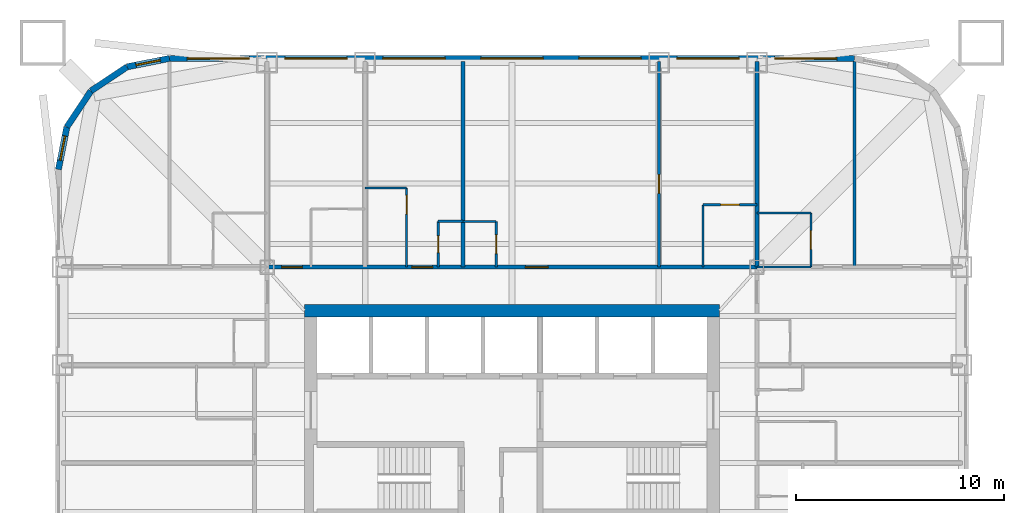
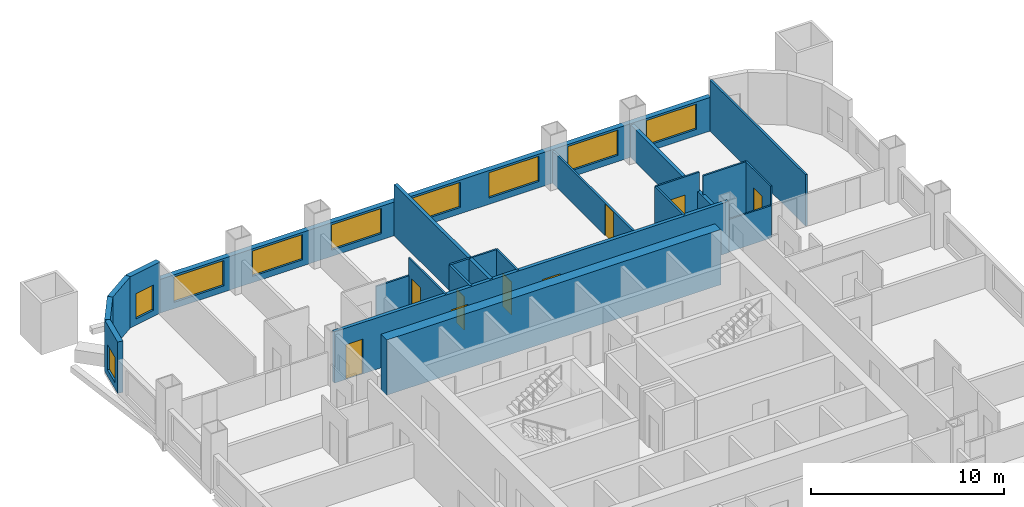
# One storey, part 7 of 9: 22 walls, 9 doors, 9 windows, 18 openings.
"""IFC4 building model written with IfcOpenShell, lengths in metres."""

from ifc_helpers import new_model, si_unit, direction, frame, frame_2d, origin, place, context, subcontext, project, spatial, rectangle, extrude, material, layer, layer_set, type_object, element, fill, save


model = new_model("IFC4")

# Units and contexts
model_context = context("Model", 3, precision=1e-05, world=origin(), true_north=direction((0.0, 1.0)))
body_context = subcontext(model_context, "Body", "Model", "MODEL_VIEW")
ifc_project = project(units=[si_unit("LENGTHUNIT", "METRE"), si_unit("AREAUNIT", "SQUARE_METRE"), si_unit("VOLUMEUNIT", "CUBIC_METRE"), si_unit("PLANEANGLEUNIT", "RADIAN"), si_unit("MASSUNIT", "GRAM", prefix="KILO")], contexts=[model_context])

# Site, building, storey
site_placement = place(None, origin())
site = spatial("IfcSite", under=ifc_project, at=site_placement, CompositionType="ELEMENT")
building_placement = place(site_placement, origin())
building = spatial("IfcBuilding", under=site, at=building_placement, Name="Turquesa Mirador Hotel Tower", CompositionType="ELEMENT")
storey_placement = place(building_placement, frame((0.0, 0.0, 84.5)))
storey = spatial("IfcBuildingStorey", under=building, at=storey_placement, Name="L22", CompositionType="ELEMENT", Elevation=84.5)

# Walls
ifc_material_1 = material(Name="Gypsum board on steel studs", Category="steel")
ifc_layer_1 = layer(ifc_material_1, 0.10009765625)
ifc_layer_set_1 = layer_set([ifc_layer_1], Name="BATHROOM WALL 100")
wall_type_1 = type_object("IfcWallType", Name="BATHROOM WALL 100", PredefinedType="PARTITIONING", material=ifc_layer_set_1)
wall_1_placement = place(storey_placement, frame((66.800048828125, 56.800048828125, 0.0), z_axis=(0.0, 0.0, 1.0), x_axis=(1.0, 0.0, 0.0)))
element("IfcWall", 1, at=wall_1_placement, inside=storey, type_object=wall_type_1, Name="Partition L22 019", PredefinedType="PARTITIONING", context=body_context, shape_type="SweptSolid", body=[
    extrude(rectangle(XDim=2.599853515625, YDim=0.10009765625, at=frame_2d((1.2998046875, 0.0))), origin(), (0.0, 0.0, 1.0), 2.050048828125),
])
wall_2_placement = place(storey_placement, frame((52.639892578125, 59.0, 0.0), z_axis=(0.0, 0.0, 1.0), x_axis=(1.0, 0.0, 0.0)))
element("IfcWall", 2, at=wall_2_placement, inside=storey, type_object=wall_type_1, Name="Partition L22 023", PredefinedType="PARTITIONING", context=body_context, shape_type="SweptSolid", body=[
    extrude(rectangle(XDim=1.60009765625, YDim=0.10009765625, at=frame_2d((0.800048828125, 0.0))), origin(), (0.0, 0.0, 1.0), 3.25),
])
wall_3_placement = place(storey_placement, frame((66.800048828125, 59.39990234375, 0.0), z_axis=(0.0, 0.0, 1.0), x_axis=(1.0, 0.0, 0.0)))
element("IfcWall", 3, at=wall_3_placement, inside=storey, type_object=wall_type_1, Name="Partition L22 026", PredefinedType="PARTITIONING", context=body_context, shape_type="SweptSolid", body=[
    extrude(rectangle(XDim=2.599853515625, YDim=0.10009765625, at=frame_2d((1.2998046875, 0.0))), origin(), (0.0, 0.0, 1.0), 3.25),
])

# Wall, opening, door
wall_4_placement = place(storey_placement, frame((64.199951171875, 59.800048828125, 0.0), z_axis=(0.0, 0.0, 1.0), x_axis=(1.0, 0.0, 0.0)))
wall_4 = element("IfcWall", 4, at=wall_4_placement, inside=storey, type_object=wall_type_1, Name="Partition L22 028", PredefinedType="PARTITIONING", context=body_context, shape_type="SweptSolid", body=[
    extrude(rectangle(XDim=2.60009765625, YDim=0.10009765625, at=frame_2d((1.300048828125, 0.0))), origin(), (0.0, 0.0, 1.0), 3.25),
])
opening_1_placement = place(wall_4_placement, frame((0.85009765625, 0.0, 0.0)))
opening_1 = element("IfcOpeningElement", 5, at=opening_1_placement, cuts=wall_4, Name="Opening D02", PredefinedType="OPENING", context=body_context, shape_type="SweptSolid", body=[
    extrude(rectangle(XDim=0.89990234375, YDim=2.10009765625, at=frame_2d((0.449951171875, 1.050048828125))), frame((0.0, 0.06005859375, 0.0), z_axis=(0.0, -1.0, 0.0), x_axis=(1.0, 0.0, 0.0)), (0.0, 0.0, 1.0), 0.1201171875),
])
ifc_material_2 = material(Name="Timber veneered door", Category="wood")
door_type_1 = type_object("IfcDoorType", Name="DOOR 900X2100 EN-SUITE", OperationType="SINGLE_SWING_RIGHT", PredefinedType="DOOR", material=ifc_material_2)
door_1_placement = place(opening_1_placement, origin())
door_1 = element("IfcDoor", 6, at=door_1_placement, inside=storey, type_object=door_type_1, Name="Door 2203B", OperationType="SINGLE_SWING_RIGHT", OverallHeight=2.10009765625, OverallWidth=0.89990234375, PredefinedType="DOOR", context=body_context, shape_type="SweptSolid", body=[
    extrude(rectangle(XDim=0.89990234375, YDim=2.10009765625, at=frame_2d((0.449951171875, 1.050048828125))), frame((0.0, 0.02490234375, 0.0), z_axis=(0.0, -1.0, 0.0), x_axis=(1.0, 0.0, 0.0)), (0.0, 0.0, 1.0), 0.050048828125),
])
fill(opening_1, door_1)

# Wall
wall_5_placement = place(storey_placement, frame((47.919921875, 60.60009765625, 0.0), z_axis=(0.0, 0.0, 1.0), x_axis=(1.0, 0.0, 0.0)))
element("IfcWall", 7, at=wall_5_placement, inside=storey, type_object=wall_type_1, Name="Partition L22 029", PredefinedType="PARTITIONING", context=body_context, shape_type="SweptSolid", body=[
    extrude(rectangle(XDim=2.0, YDim=0.10009765625, at=frame_2d((1.0, 0.0))), origin(), (0.0, 0.0, 1.0), 2.13232421875),
])

# Wall, opening, door
wall_6_placement = place(storey_placement, frame((54.239990234375, 56.800048828125, 0.0), z_axis=(0.0, 0.0, 1.0), x_axis=(0.0, 1.0, 0.0)))
wall_6 = element("IfcWall", 8, at=wall_6_placement, inside=storey, type_object=wall_type_1, Name="Partition L22 041", PredefinedType="PARTITIONING", context=body_context, shape_type="SweptSolid", body=[
    extrude(rectangle(XDim=2.199951171875, YDim=0.10009765625, at=frame_2d((1.10009765625, 0.0))), origin(), (0.0, 0.0, 1.0), 3.25),
])
opening_2_placement = place(wall_6_placement, frame((0.64990234375, 0.0, 0.0)))
opening_2 = element("IfcOpeningElement", 9, at=opening_2_placement, cuts=wall_6, Name="Opening D06", PredefinedType="OPENING", context=body_context, shape_type="SweptSolid", body=[
    extrude(rectangle(XDim=0.89990234375, YDim=2.10009765625, at=frame_2d((0.449951171875, 1.050048828125))), frame((0.0, 0.06005859375, 0.0), z_axis=(0.0, -1.0, 0.0), x_axis=(1.0, 0.0, 0.0)), (0.0, 0.0, 1.0), 0.1201171875),
])
ifc_material_3 = material(Name="Laminate door", Category="wood")
door_type_2 = type_object("IfcDoorType", Name="DOOR 900X2100 WC", OperationType="SINGLE_SWING_LEFT", PredefinedType="DOOR", material=ifc_material_3)
door_2_placement = place(opening_2_placement, origin())
door_2 = element("IfcDoor", 10, at=door_2_placement, inside=storey, type_object=door_type_2, Name="Door 2203W", OperationType="SINGLE_SWING_LEFT", OverallHeight=2.10009765625, OverallWidth=0.89990234375, PredefinedType="DOOR", context=body_context, shape_type="SweptSolid", body=[
    extrude(rectangle(XDim=0.89990234375, YDim=2.10009765625, at=frame_2d((0.449951171875, 1.050048828125))), frame((0.0, 0.02490234375, 0.0), z_axis=(0.0, -1.0, 0.0), x_axis=(1.0, 0.0, 0.0)), (0.0, 0.0, 1.0), 0.050048828125),
])
fill(opening_2, door_2)

wall_7_placement = place(storey_placement, frame((49.919921875, 56.800048828125, 0.0), z_axis=(0.0, 0.0, 1.0), x_axis=(0.0, 1.0, 0.0)))
wall_7 = element("IfcWall", 11, at=wall_7_placement, inside=storey, type_object=wall_type_1, Name="Partition L22 058", PredefinedType="PARTITIONING", context=body_context, shape_type="SweptSolid", body=[
    extrude(rectangle(XDim=3.800048828125, YDim=0.10009765625, at=frame_2d((1.89990234375, 0.0))), origin(), (0.0, 0.0, 1.0), 3.25),
])
opening_3_placement = place(wall_7_placement, frame((2.550048828125, 0.0, 0.0)))
opening_3 = element("IfcOpeningElement", 12, at=opening_3_placement, cuts=wall_7, Name="Opening D02", PredefinedType="OPENING", context=body_context, shape_type="SweptSolid", body=[
    extrude(rectangle(XDim=0.89990234375, YDim=2.10009765625, at=frame_2d((0.449951171875, 1.050048828125))), frame((0.0, 0.06005859375, 0.0), z_axis=(0.0, -1.0, 0.0), x_axis=(1.0, 0.0, 0.0)), (0.0, 0.0, 1.0), 0.1201171875),
])
door_3_placement = place(opening_3_placement, origin())
door_3 = element("IfcDoor", 13, at=door_3_placement, inside=storey, type_object=door_type_1, Name="Door 2202B", OperationType="SINGLE_SWING_RIGHT", OverallHeight=2.10009765625, OverallWidth=0.89990234375, PredefinedType="DOOR", context=body_context, shape_type="SweptSolid", body=[
    extrude(rectangle(XDim=0.89990234375, YDim=2.10009765625, at=frame_2d((0.449951171875, 1.050048828125))), frame((0.0, 0.02490234375, 0.0), z_axis=(0.0, -1.0, 0.0), x_axis=(1.0, 0.0, 0.0)), (0.0, 0.0, 1.0), 0.050048828125),
])
fill(opening_3, door_3)

wall_8_placement = place(storey_placement, frame((69.39990234375, 56.800048828125, 0.0), z_axis=(0.0, 0.0, 1.0), x_axis=(0.0, 1.0, 0.0)))
wall_8 = element("IfcWall", 14, at=wall_8_placement, inside=storey, type_object=wall_type_1, Name="Partition L22 069", PredefinedType="PARTITIONING", context=body_context, shape_type="SweptSolid", body=[
    extrude(rectangle(XDim=2.599853515625, YDim=0.10009765625, at=frame_2d((1.2998046875, 0.0))), origin(), (0.0, 0.0, 1.0), 3.25),
])
opening_4_placement = place(wall_8_placement, frame((0.85009765625, 0.0, 0.0)))
opening_4 = element("IfcOpeningElement", 15, at=opening_4_placement, cuts=wall_8, Name="Opening D02", PredefinedType="OPENING", context=body_context, shape_type="SweptSolid", body=[
    extrude(rectangle(XDim=0.89990234375, YDim=2.10009765625, at=frame_2d((0.449951171875, 1.050048828125))), frame((0.0, 0.06005859375, 0.0), z_axis=(0.0, -1.0, 0.0), x_axis=(1.0, 0.0, 0.0)), (0.0, 0.0, 1.0), 0.1201171875),
])
door_4_placement = place(opening_4_placement, origin())
door_4 = element("IfcDoor", 16, at=door_4_placement, inside=storey, type_object=door_type_1, Name="Door 2209B", OperationType="SINGLE_SWING_RIGHT", OverallHeight=2.10009765625, OverallWidth=0.89990234375, PredefinedType="DOOR", context=body_context, shape_type="SweptSolid", body=[
    extrude(rectangle(XDim=0.89990234375, YDim=2.10009765625, at=frame_2d((0.449951171875, 1.050048828125))), frame((0.0, 0.02490234375, 0.0), z_axis=(0.0, -1.0, 0.0), x_axis=(1.0, 0.0, 0.0)), (0.0, 0.0, 1.0), 0.050048828125),
])
fill(opening_4, door_4)

# Walls
wall_9_placement = place(storey_placement, frame((64.199951171875, 56.800048828125, 0.0), z_axis=(0.0, 0.0, 1.0), x_axis=(0.0, 1.0, 0.0)))
element("IfcWall", 17, at=wall_9_placement, inside=storey, type_object=wall_type_1, Name="Partition L22 077", PredefinedType="PARTITIONING", context=body_context, shape_type="SweptSolid", body=[
    extrude(rectangle(XDim=3.0, YDim=0.10009765625, at=frame_2d((1.5, 0.0))), origin(), (0.0, 0.0, 1.0), 3.25),
])
ifc_material_4 = material(Name="Concrete C50/60", Category="concrete")
ifc_layer_2 = layer(ifc_material_4, 0.60009765625)
ifc_layer_set_2 = layer_set([ifc_layer_2], Name="CORE WALL 600")
wall_type_2 = type_object("IfcWallType", Name="CORE WALL 600", PredefinedType="SHEAR", material=ifc_layer_set_2)
wall_10_placement = place(storey_placement, frame((45.0, 54.699951171875, 0.0), z_axis=(0.0, 0.0, 1.0), x_axis=(1.0, 0.0, 0.0)))
element("IfcWall", 18, at=wall_10_placement, inside=storey, type_object=wall_type_2, Name="Core wall N", PredefinedType="SHEAR", context=body_context, shape_type="SweptSolid", body=[
    extrude(rectangle(XDim=20.0, YDim=0.60009765625, at=frame_2d((10.0, 0.0))), origin(), (0.0, 0.0, 1.0), 3.5),
])

# Wall, openings, doors
ifc_material_5 = material(Name="Fire-rated gypsum board on steel studs", Category="steel")
ifc_layer_3 = layer(ifc_material_5, 0.199951171875)
ifc_layer_set_3 = layer_set([ifc_layer_3], Name="CORRIDOR WALL 200")
wall_type_3 = type_object("IfcWallType", Name="CORRIDOR WALL 200", PredefinedType="PARTITIONING", material=ifc_layer_set_3)
wall_11_placement = place(storey_placement, frame((43.199951171875, 56.800048828125, 0.0), z_axis=(0.0, 0.0, 1.0), x_axis=(1.0, 0.0, 0.0)))
wall_11 = element("IfcWall", 19, at=wall_11_placement, inside=storey, type_object=wall_type_3, Name="Partition L22 020", PredefinedType="PARTITIONING", context=body_context, shape_type="SweptSolid", body=[
    extrude(rectangle(XDim=23.60009765625, YDim=0.199951171875, at=frame_2d((11.800048828125, 0.0))), origin(), (0.0, 0.0, 1.0), 3.25),
])
opening_5_placement = place(wall_11_placement, frame((0.699951171875, 0.0, 0.0)))
opening_5 = element("IfcOpeningElement", 20, at=opening_5_placement, cuts=wall_11, Name="Opening D01", PredefinedType="OPENING", context=body_context, shape_type="SweptSolid", body=[
    extrude(rectangle(XDim=1.0, YDim=2.199951171875, at=frame_2d((0.5, 1.10009765625))), frame((0.0, 0.10986328125, 0.0), z_axis=(0.0, -1.0, 0.0), x_axis=(1.0, 0.0, 0.0)), (0.0, 0.0, 1.0), 0.219970703125),
])
opening_6_placement = place(wall_11_placement, frame((6.97998046875, 0.0, 0.0)))
opening_6 = element("IfcOpeningElement", 21, at=opening_6_placement, cuts=wall_11, Name="Opening D01", PredefinedType="OPENING", context=body_context, shape_type="SweptSolid", body=[
    extrude(rectangle(XDim=1.0, YDim=2.199951171875, at=frame_2d((0.5, 1.10009765625))), frame((0.0, 0.10986328125, 0.0), z_axis=(0.0, -1.0, 0.0), x_axis=(1.0, 0.0, 0.0)), (0.0, 0.0, 1.0), 0.219970703125),
])
opening_7_placement = place(wall_11_placement, frame((12.43994140625, 0.0, 0.0)))
opening_7 = element("IfcOpeningElement", 22, at=opening_7_placement, cuts=wall_11, Name="Opening D15", PredefinedType="OPENING", context=body_context, shape_type="SweptSolid", body=[
    extrude(rectangle(XDim=1.10009765625, YDim=2.199951171875, at=frame_2d((0.550048828125, 1.10009765625))), frame((0.0, 0.10986328125, 0.0), z_axis=(0.0, -1.0, 0.0), x_axis=(1.0, 0.0, 0.0)), (0.0, 0.0, 1.0), 0.219970703125),
])
ifc_material_6 = material(Name="Timber veneered fire door", Category="wood")
door_type_3 = type_object("IfcDoorType", Name="DOOR 1000X2200 GUEST ENTRY", OperationType="SINGLE_SWING_LEFT", PredefinedType="DOOR", material=ifc_material_6)
door_5_placement = place(opening_5_placement, origin())
door_5 = element("IfcDoor", 23, at=door_5_placement, inside=storey, type_object=door_type_3, Name="Door 2201", OperationType="SINGLE_SWING_LEFT", OverallHeight=2.199951171875, OverallWidth=1.0, PredefinedType="DOOR", context=body_context, shape_type="SweptSolid", body=[
    extrude(rectangle(XDim=1.0, YDim=2.199951171875, at=frame_2d((0.5, 1.10009765625))), frame((0.0, 0.02490234375, 0.0), z_axis=(0.0, -1.0, 0.0), x_axis=(1.0, 0.0, 0.0)), (0.0, 0.0, 1.0), 0.050048828125),
])
fill(opening_5, door_5)
door_6_placement = place(opening_6_placement, origin())
door_6 = element("IfcDoor", 24, at=door_6_placement, inside=storey, type_object=door_type_3, Name="Door 2202", OperationType="SINGLE_SWING_LEFT", OverallHeight=2.199951171875, OverallWidth=1.0, PredefinedType="DOOR", context=body_context, shape_type="SweptSolid", body=[
    extrude(rectangle(XDim=1.0, YDim=2.199951171875, at=frame_2d((0.5, 1.10009765625))), frame((0.0, 0.02490234375, 0.0), z_axis=(0.0, -1.0, 0.0), x_axis=(1.0, 0.0, 0.0)), (0.0, 0.0, 1.0), 0.050048828125),
])
fill(opening_6, door_6)
ifc_material_7 = material(Name="Timber veneered fire door", Category="wood")
door_type_4 = type_object("IfcDoorType", Name="DOOR 1100X2200 SUITE ENTRY", OperationType="SINGLE_SWING_LEFT", PredefinedType="DOOR", material=ifc_material_7)
door_7_placement = place(opening_7_placement, origin())
door_7 = element("IfcDoor", 25, at=door_7_placement, inside=storey, type_object=door_type_4, Name="Door 2203", OperationType="SINGLE_SWING_LEFT", OverallHeight=2.199951171875, OverallWidth=1.10009765625, PredefinedType="DOOR", context=body_context, shape_type="SweptSolid", body=[
    extrude(rectangle(XDim=1.10009765625, YDim=2.199951171875, at=frame_2d((0.550048828125, 1.10009765625))), frame((0.0, 0.02490234375, 0.0), z_axis=(0.0, -1.0, 0.0), x_axis=(1.0, 0.0, 0.0)), (0.0, 0.0, 1.0), 0.050048828125),
])
fill(opening_7, door_7)

# Wall, openings, windows
ifc_material_8 = material(Name="Limestone cladding on concrete block", Category="masonry")
ifc_layer_4 = layer(ifc_material_8, 0.300048828125)
ifc_layer_set_4 = layer_set([ifc_layer_4], Name="FACADE WALL 300 STONE SCREEN")
wall_type_4 = type_object("IfcWallType", Name="FACADE WALL 300 STONE SCREEN", PredefinedType="SOLIDWALL", material=ifc_layer_set_4)
wall_12_placement = place(storey_placement, frame((71.5, 66.85009765625, 0.0), z_axis=(0.0, 0.0, 1.0), x_axis=(-1.0, 0.0, 0.0)))
wall_12 = element("IfcWall", 26, at=wall_12_placement, inside=storey, type_object=wall_type_4, Name="Facade wall L22 09", PredefinedType="SOLIDWALL", context=body_context, shape_type="SweptSolid", body=[
    extrude(rectangle(XDim=33.0, YDim=0.300048828125, at=frame_2d((16.5, 0.0))), origin(), (0.0, 0.0, 1.0), 2.13232421875),
])
opening_8_placement = place(wall_12_placement, frame((0.85009765625, 0.0, 0.39990234375)))
opening_8 = element("IfcOpeningElement", 27, at=opening_8_placement, cuts=wall_12, Name="Opening WN7", PredefinedType="OPENING", context=body_context, shape_type="SweptSolid", body=[
    extrude(rectangle(XDim=3.0, YDim=1.60009765625, at=frame_2d((1.5, 0.800048828125))), frame((0.0, 0.159912109375, 0.0), z_axis=(0.0, -1.0, 0.0), x_axis=(1.0, 0.0, 0.0)), (0.0, 0.0, 1.0), 0.320068359375),
])
opening_9_placement = place(wall_12_placement, frame((5.56005859375, 0.0, 0.39990234375)))
opening_9 = element("IfcOpeningElement", 28, at=opening_9_placement, cuts=wall_12, Name="Opening WN7", PredefinedType="OPENING", context=body_context, shape_type="SweptSolid", body=[
    extrude(rectangle(XDim=3.0, YDim=1.60009765625, at=frame_2d((1.5, 0.800048828125))), frame((0.0, 0.159912109375, 0.0), z_axis=(0.0, -1.0, 0.0), x_axis=(1.0, 0.0, 0.0)), (0.0, 0.0, 1.0), 0.320068359375),
])
opening_10_placement = place(wall_12_placement, frame((10.280029296875, 0.0, 0.39990234375)))
opening_10 = element("IfcOpeningElement", 29, at=opening_10_placement, cuts=wall_12, Name="Opening WN7", PredefinedType="OPENING", context=body_context, shape_type="SweptSolid", body=[
    extrude(rectangle(XDim=3.0, YDim=1.60009765625, at=frame_2d((1.5, 0.800048828125))), frame((0.0, 0.159912109375, 0.0), z_axis=(0.0, -1.0, 0.0), x_axis=(1.0, 0.0, 0.0)), (0.0, 0.0, 1.0), 0.320068359375),
])
opening_11_placement = place(wall_12_placement, frame((15.0, 0.0, 0.39990234375)))
opening_11 = element("IfcOpeningElement", 30, at=opening_11_placement, cuts=wall_12, Name="Opening WN7", PredefinedType="OPENING", context=body_context, shape_type="SweptSolid", body=[
    extrude(rectangle(XDim=3.0, YDim=1.60009765625, at=frame_2d((1.5, 0.800048828125))), frame((0.0, 0.159912109375, 0.0), z_axis=(0.0, -1.0, 0.0), x_axis=(1.0, 0.0, 0.0)), (0.0, 0.0, 1.0), 0.320068359375),
])
opening_12_placement = place(wall_12_placement, frame((19.719970703125, 0.0, 0.39990234375)))
opening_12 = element("IfcOpeningElement", 31, at=opening_12_placement, cuts=wall_12, Name="Opening WN7", PredefinedType="OPENING", context=body_context, shape_type="SweptSolid", body=[
    extrude(rectangle(XDim=3.0, YDim=1.60009765625, at=frame_2d((1.5, 0.800048828125))), frame((0.0, 0.159912109375, 0.0), z_axis=(0.0, -1.0, 0.0), x_axis=(1.0, 0.0, 0.0)), (0.0, 0.0, 1.0), 0.320068359375),
])
opening_13_placement = place(wall_12_placement, frame((24.43994140625, 0.0, 0.39990234375)))
opening_13 = element("IfcOpeningElement", 32, at=opening_13_placement, cuts=wall_12, Name="Opening WN7", PredefinedType="OPENING", context=body_context, shape_type="SweptSolid", body=[
    extrude(rectangle(XDim=3.0, YDim=1.60009765625, at=frame_2d((1.5, 0.800048828125))), frame((0.0, 0.159912109375, 0.0), z_axis=(0.0, -1.0, 0.0), x_axis=(1.0, 0.0, 0.0)), (0.0, 0.0, 1.0), 0.320068359375),
])
opening_14_placement = place(wall_12_placement, frame((29.14990234375, 0.0, 0.39990234375)))
opening_14 = element("IfcOpeningElement", 33, at=opening_14_placement, cuts=wall_12, Name="Opening WN7", PredefinedType="OPENING", context=body_context, shape_type="SweptSolid", body=[
    extrude(rectangle(XDim=3.0, YDim=1.60009765625, at=frame_2d((1.5, 0.800048828125))), frame((0.0, 0.159912109375, 0.0), z_axis=(0.0, -1.0, 0.0), x_axis=(1.0, 0.0, 0.0)), (0.0, 0.0, 1.0), 0.320068359375),
])
ifc_material_9 = material(Name="Ceramic-fritted laminated glass", Category="glass")
window_type_1 = type_object("IfcWindowType", Name="FRITTED WINDOW 3000X1600", PartitioningType="DOUBLE_PANEL_HORIZONTAL", PredefinedType="WINDOW", material=ifc_material_9)
window_1_placement = place(opening_8_placement, origin())
window_1 = element("IfcWindow", 34, at=window_1_placement, inside=storey, type_object=window_type_1, Name="Window L22", OverallHeight=1.60009765625, OverallWidth=3.0, PartitioningType="SINGLE_PANEL", PredefinedType="WINDOW", context=body_context, shape_type="SweptSolid", body=[
    extrude(rectangle(XDim=3.0, YDim=1.60009765625, at=frame_2d((1.5, 0.800048828125))), frame((0.0, 0.030029296875, 0.0), z_axis=(0.0, -1.0, 0.0), x_axis=(1.0, 0.0, 0.0)), (0.0, 0.0, 1.0), 0.06005859375),
])
fill(opening_8, window_1)
window_2_placement = place(opening_9_placement, origin())
window_2 = element("IfcWindow", 35, at=window_2_placement, inside=storey, type_object=window_type_1, Name="Window L22", OverallHeight=1.60009765625, OverallWidth=3.0, PartitioningType="SINGLE_PANEL", PredefinedType="WINDOW", context=body_context, shape_type="SweptSolid", body=[
    extrude(rectangle(XDim=3.0, YDim=1.60009765625, at=frame_2d((1.5, 0.800048828125))), frame((0.0, 0.030029296875, 0.0), z_axis=(0.0, -1.0, 0.0), x_axis=(1.0, 0.0, 0.0)), (0.0, 0.0, 1.0), 0.06005859375),
])
fill(opening_9, window_2)
window_3_placement = place(opening_10_placement, origin())
window_3 = element("IfcWindow", 36, at=window_3_placement, inside=storey, type_object=window_type_1, Name="Window L22", OverallHeight=1.60009765625, OverallWidth=3.0, PartitioningType="SINGLE_PANEL", PredefinedType="WINDOW", context=body_context, shape_type="SweptSolid", body=[
    extrude(rectangle(XDim=3.0, YDim=1.60009765625, at=frame_2d((1.5, 0.800048828125))), frame((0.0, 0.030029296875, 0.0), z_axis=(0.0, -1.0, 0.0), x_axis=(1.0, 0.0, 0.0)), (0.0, 0.0, 1.0), 0.06005859375),
])
fill(opening_10, window_3)
window_4_placement = place(opening_11_placement, origin())
window_4 = element("IfcWindow", 37, at=window_4_placement, inside=storey, type_object=window_type_1, Name="Window L22", OverallHeight=1.60009765625, OverallWidth=3.0, PartitioningType="SINGLE_PANEL", PredefinedType="WINDOW", context=body_context, shape_type="SweptSolid", body=[
    extrude(rectangle(XDim=3.0, YDim=1.60009765625, at=frame_2d((1.5, 0.800048828125))), frame((0.0, 0.030029296875, 0.0), z_axis=(0.0, -1.0, 0.0), x_axis=(1.0, 0.0, 0.0)), (0.0, 0.0, 1.0), 0.06005859375),
])
fill(opening_11, window_4)
window_5_placement = place(opening_12_placement, origin())
window_5 = element("IfcWindow", 38, at=window_5_placement, inside=storey, type_object=window_type_1, Name="Window L22", OverallHeight=1.60009765625, OverallWidth=3.0, PartitioningType="SINGLE_PANEL", PredefinedType="WINDOW", context=body_context, shape_type="SweptSolid", body=[
    extrude(rectangle(XDim=3.0, YDim=1.60009765625, at=frame_2d((1.5, 0.800048828125))), frame((0.0, 0.030029296875, 0.0), z_axis=(0.0, -1.0, 0.0), x_axis=(1.0, 0.0, 0.0)), (0.0, 0.0, 1.0), 0.06005859375),
])
fill(opening_12, window_5)
window_6_placement = place(opening_13_placement, origin())
window_6 = element("IfcWindow", 39, at=window_6_placement, inside=storey, type_object=window_type_1, Name="Window L22", OverallHeight=1.60009765625, OverallWidth=3.0, PartitioningType="SINGLE_PANEL", PredefinedType="WINDOW", context=body_context, shape_type="SweptSolid", body=[
    extrude(rectangle(XDim=3.0, YDim=1.60009765625, at=frame_2d((1.5, 0.800048828125))), frame((0.0, 0.030029296875, 0.0), z_axis=(0.0, -1.0, 0.0), x_axis=(1.0, 0.0, 0.0)), (0.0, 0.0, 1.0), 0.06005859375),
])
fill(opening_13, window_6)
window_7_placement = place(opening_14_placement, origin())
window_7 = element("IfcWindow", 40, at=window_7_placement, inside=storey, type_object=window_type_1, Name="Window L22", OverallHeight=1.60009765625, OverallWidth=3.0, PartitioningType="SINGLE_PANEL", PredefinedType="WINDOW", context=body_context, shape_type="SweptSolid", body=[
    extrude(rectangle(XDim=3.0, YDim=1.60009765625, at=frame_2d((1.5, 0.800048828125))), frame((0.0, 0.030029296875, 0.0), z_axis=(0.0, -1.0, 0.0), x_axis=(1.0, 0.0, 0.0)), (0.0, 0.0, 1.0), 0.06005859375),
])
fill(opening_14, window_7)

# Wall, opening, window
wall_13_placement = place(storey_placement, frame((38.5, 66.85009765625, 0.0), z_axis=(0.0, 0.0, 1.0), x_axis=(-0.980787050784, -0.195081421501, 0.0)))
wall_13 = element("IfcWall", 41, at=wall_13_placement, inside=storey, type_object=wall_type_4, Name="Facade wall L22 10", PredefinedType="SOLIDWALL", context=body_context, shape_type="SweptSolid", body=[
    extrude(rectangle(XDim=2.08740234375, YDim=0.300048828125, at=frame_2d((1.043701171875, 0.0))), origin(), (0.0, 0.0, 1.0), 3.25),
])
opening_15_placement = place(wall_13_placement, frame((0.443603515625, 0.0, 0.39990234375)))
opening_15 = element("IfcOpeningElement", 42, at=opening_15_placement, cuts=wall_13, Name="Opening WN8", PredefinedType="OPENING", context=body_context, shape_type="SweptSolid", body=[
    extrude(rectangle(XDim=1.199951171875, YDim=1.60009765625, at=frame_2d((0.60009765625, 0.800048828125))), frame((0.0, 0.159912109375, 0.0), z_axis=(0.0, -1.0, 0.0), x_axis=(1.0, 0.0, 0.0)), (0.0, 0.0, 1.0), 0.320068359375),
])
ifc_material_10 = material(Name="Ceramic-fritted laminated glass", Category="glass")
window_type_2 = type_object("IfcWindowType", Name="FRITTED CORNER WINDOW 1200X1600", PartitioningType="DOUBLE_PANEL_HORIZONTAL", PredefinedType="WINDOW", material=ifc_material_10)
window_8_placement = place(opening_15_placement, origin())
window_8 = element("IfcWindow", 43, at=window_8_placement, inside=storey, type_object=window_type_2, Name="Window L22", OverallHeight=1.60009765625, OverallWidth=1.199951171875, PartitioningType="SINGLE_PANEL", PredefinedType="WINDOW", context=body_context, shape_type="SweptSolid", body=[
    extrude(rectangle(XDim=1.199951171875, YDim=1.60009765625, at=frame_2d((0.60009765625, 0.800048828125))), frame((0.0, 0.030029296875, 0.0), z_axis=(0.0, -1.0, 0.0), x_axis=(1.0, 0.0, 0.0)), (0.0, 0.0, 1.0), 0.06005859375),
])
fill(opening_15, window_8)

# Walls
for number, where, z_axis, x_axis, name in (
    (44, (36.45263671875, 66.44287109375, 0.0), (0.0, 0.0, 1.0), (-0.831420010345, -0.555644460423, 0.0), "Facade wall L22 11"),
    (45, (34.717041015625, 65.282958984375, 0.0), (0.0, 0.0, 1.0), (-0.555644460423, -0.831420010345, 0.0), "Facade wall L22 12"),
):
    element("IfcWall", number, at=place(storey_placement, frame(where, z_axis=z_axis, x_axis=x_axis)), inside=storey, type_object=wall_type_4, Name=name, PredefinedType="SOLIDWALL", context=body_context, shape_type="SweptSolid", body=[
        extrude(rectangle(XDim=2.08740234375, YDim=0.300048828125, at=frame_2d((1.043701171875, 0.0))), origin(), (0.0, 0.0, 1.0), 3.25),
    ])

# Wall, opening, window
wall_14_placement = place(storey_placement, frame((33.55712890625, 63.54736328125, 0.0), z_axis=(0.0, 0.0, 1.0), x_axis=(-0.195081421501, -0.980787050784, 0.0)))
wall_14 = element("IfcWall", 46, at=wall_14_placement, inside=storey, type_object=wall_type_4, Name="Facade wall L22 13", PredefinedType="SOLIDWALL", context=body_context, shape_type="SweptSolid", body=[
    extrude(rectangle(XDim=2.08740234375, YDim=0.300048828125, at=frame_2d((1.043701171875, 0.0))), origin(), (0.0, 0.0, 1.0), 3.25),
])
opening_16_placement = place(wall_14_placement, frame((0.443603515625, 0.0, 0.39990234375)))
opening_16 = element("IfcOpeningElement", 47, at=opening_16_placement, cuts=wall_14, Name="Opening WN8", PredefinedType="OPENING", context=body_context, shape_type="SweptSolid", body=[
    extrude(rectangle(XDim=1.199951171875, YDim=1.60009765625, at=frame_2d((0.60009765625, 0.800048828125))), frame((0.0, 0.159912109375, 0.0), z_axis=(0.0, -1.0, 0.0), x_axis=(1.0, 0.0, 0.0)), (0.0, 0.0, 1.0), 0.320068359375),
])
window_9_placement = place(opening_16_placement, origin())
window_9 = element("IfcWindow", 48, at=window_9_placement, inside=storey, type_object=window_type_2, Name="Window L22", OverallHeight=1.60009765625, OverallWidth=1.199951171875, PartitioningType="SINGLE_PANEL", PredefinedType="WINDOW", context=body_context, shape_type="SweptSolid", body=[
    extrude(rectangle(XDim=1.199951171875, YDim=1.60009765625, at=frame_2d((0.60009765625, 0.800048828125))), frame((0.0, 0.030029296875, 0.0), z_axis=(0.0, -1.0, 0.0), x_axis=(1.0, 0.0, 0.0)), (0.0, 0.0, 1.0), 0.06005859375),
])
fill(opening_16, window_9)

# Walls
ifc_material_11 = material(Name="Fire-rated gypsum board on steel studs", Category="steel")
ifc_layer_5 = layer(ifc_material_11, 0.199951171875)
ifc_layer_set_5 = layer_set([ifc_layer_5], Name="PARTY WALL 200")
wall_type_5 = type_object("IfcWallType", Name="PARTY WALL 200", PredefinedType="PARTITIONING", material=ifc_layer_set_5)
wall_15_placement = place(storey_placement, frame((52.639892578125, 56.800048828125, 0.0), z_axis=(0.0, 0.0, 1.0), x_axis=(0.0, 1.0, 0.0)))
element("IfcWall", 49, at=wall_15_placement, inside=storey, type_object=wall_type_5, Name="Partition L22 055", PredefinedType="PARTITIONING", context=body_context, shape_type="SweptSolid", body=[
    extrude(rectangle(XDim=9.89990234375, YDim=0.199951171875, at=frame_2d((4.949951171875, 0.0))), origin(), (0.0, 0.0, 1.0), 3.25),
])
wall_16_placement = place(storey_placement, frame((66.800048828125, 56.800048828125, 0.0), z_axis=(0.0, 0.0, 1.0), x_axis=(0.0, 1.0, 0.0)))
element("IfcWall", 50, at=wall_16_placement, inside=storey, type_object=wall_type_5, Name="Partition L22 064", PredefinedType="PARTITIONING", context=body_context, shape_type="SweptSolid", body=[
    extrude(rectangle(XDim=9.89990234375, YDim=0.199951171875, at=frame_2d((4.949951171875, 0.0))), origin(), (0.0, 0.0, 1.0), 2.050048828125),
])
ifc_material_12 = material(Name="Acoustic gypsum board on steel studs", Category="steel")
ifc_layer_6 = layer(ifc_material_12, 0.125)
ifc_layer_set_6 = layer_set([ifc_layer_6], Name="SUITE PARTITION 125")
wall_type_6 = type_object("IfcWallType", Name="SUITE PARTITION 125", PredefinedType="PARTITIONING", material=ifc_layer_set_6)
wall_17_placement = place(storey_placement, frame((51.43994140625, 59.0, 0.0), z_axis=(0.0, 0.0, 1.0), x_axis=(1.0, 0.0, 0.0)))
element("IfcWall", 51, at=wall_17_placement, inside=storey, type_object=wall_type_6, Name="Partition L22 024", PredefinedType="PARTITIONING", context=body_context, shape_type="SweptSolid", body=[
    extrude(rectangle(XDim=1.199951171875, YDim=0.125, at=frame_2d((0.60009765625, 0.0))), origin(), (0.0, 0.0, 1.0), 3.25),
])

# Wall, opening, door
wall_18_placement = place(storey_placement, frame((51.43994140625, 56.800048828125, 0.0), z_axis=(0.0, 0.0, 1.0), x_axis=(0.0, 1.0, 0.0)))
wall_18 = element("IfcWall", 52, at=wall_18_placement, inside=storey, type_object=wall_type_6, Name="Partition L22 056", PredefinedType="PARTITIONING", context=body_context, shape_type="SweptSolid", body=[
    extrude(rectangle(XDim=2.199951171875, YDim=0.125, at=frame_2d((1.10009765625, 0.0))), origin(), (0.0, 0.0, 1.0), 3.25),
])
opening_17_placement = place(wall_18_placement, frame((0.699951171875, 0.0, 0.0)))
opening_17 = element("IfcOpeningElement", 53, at=opening_17_placement, cuts=wall_18, Name="Opening D20", PredefinedType="OPENING", context=body_context, shape_type="SweptSolid", body=[
    extrude(rectangle(XDim=0.800048828125, YDim=2.10009765625, at=frame_2d((0.39990234375, 1.050048828125))), frame((0.0, 0.072509765625, 0.0), z_axis=(0.0, -1.0, 0.0), x_axis=(1.0, 0.0, 0.0)), (0.0, 0.0, 1.0), 0.14501953125),
])
ifc_material_13 = material(Name="Timber veneered sliding door", Category="wood")
door_type_5 = type_object("IfcDoorType", Name="DOOR 800X2100 WARDROBE", OperationType="SLIDING_TO_LEFT", PredefinedType="DOOR", material=ifc_material_13)
door_8_placement = place(opening_17_placement, origin())
door_8 = element("IfcDoor", 54, at=door_8_placement, inside=storey, type_object=door_type_5, Name="Door 2202W", OperationType="SLIDING_TO_LEFT", OverallHeight=2.10009765625, OverallWidth=0.800048828125, PredefinedType="DOOR", context=body_context, shape_type="SweptSolid", body=[
    extrude(rectangle(XDim=0.800048828125, YDim=2.10009765625, at=frame_2d((0.39990234375, 1.050048828125))), frame((0.0, 0.02490234375, 0.0), z_axis=(0.0, -1.0, 0.0), x_axis=(1.0, 0.0, 0.0)), (0.0, 0.0, 1.0), 0.050048828125),
])
fill(opening_17, door_8)

# Wall
wall_19_placement = place(storey_placement, frame((71.5, 56.800048828125, 0.0), z_axis=(0.0, 0.0, 1.0), x_axis=(0.0, 1.0, 0.0)))
element("IfcWall", 55, at=wall_19_placement, inside=storey, type_object=wall_type_6, Name="Partition L22 073", PredefinedType="PARTITIONING", context=body_context, shape_type="SweptSolid", body=[
    extrude(rectangle(XDim=9.89404296875, YDim=0.125, at=frame_2d((4.947021484375, 0.0))), origin(), (0.0, 0.0, 1.0), 3.25),
])

# Wall, opening, door
wall_20_placement = place(storey_placement, frame((62.080078125, 56.800048828125, 0.0), z_axis=(0.0, 0.0, 1.0), x_axis=(0.0, 1.0, 0.0)))
wall_20 = element("IfcWall", 56, at=wall_20_placement, inside=storey, type_object=wall_type_6, Name="Partition L22 075", PredefinedType="PARTITIONING", context=body_context, shape_type="SweptSolid", body=[
    extrude(rectangle(XDim=9.89990234375, YDim=0.125, at=frame_2d((4.949951171875, 0.0))), origin(), (0.0, 0.0, 1.0), 2.050048828125),
])
opening_18_placement = place(wall_20_placement, frame((3.550048828125, 0.0, 0.0)))
opening_18 = element("IfcOpeningElement", 57, at=opening_18_placement, cuts=wall_20, Name="Opening D24", PredefinedType="OPENING", context=body_context, shape_type="SweptSolid", body=[
    extrude(rectangle(XDim=0.89990234375, YDim=2.0, at=frame_2d((0.449951171875, 1.0))), frame((0.0, 0.072509765625, 0.0), z_axis=(0.0, -1.0, 0.0), x_axis=(1.0, 0.0, 0.0)), (0.0, 0.0, 1.0), 0.14501953125),
])
ifc_material_14 = material(Name="Timber veneered door", Category="wood")
door_type_6 = type_object("IfcDoorType", Name="DOOR 900X2000 SUITE INTERNAL", OperationType="SINGLE_SWING_LEFT", PredefinedType="DOOR", material=ifc_material_14)
door_9_placement = place(opening_18_placement, origin())
door_9 = element("IfcDoor", 58, at=door_9_placement, inside=storey, type_object=door_type_6, Name="Door 2203R", OperationType="SINGLE_SWING_LEFT", OverallHeight=2.0, OverallWidth=0.89990234375, PredefinedType="DOOR", context=body_context, shape_type="SweptSolid", body=[
    extrude(rectangle(XDim=0.89990234375, YDim=2.0, at=frame_2d((0.449951171875, 1.0))), frame((0.0, 0.02490234375, 0.0), z_axis=(0.0, -1.0, 0.0), x_axis=(1.0, 0.0, 0.0)), (0.0, 0.0, 1.0), 0.050048828125),
])
fill(opening_18, door_9)

save(model, "model.ifc")
